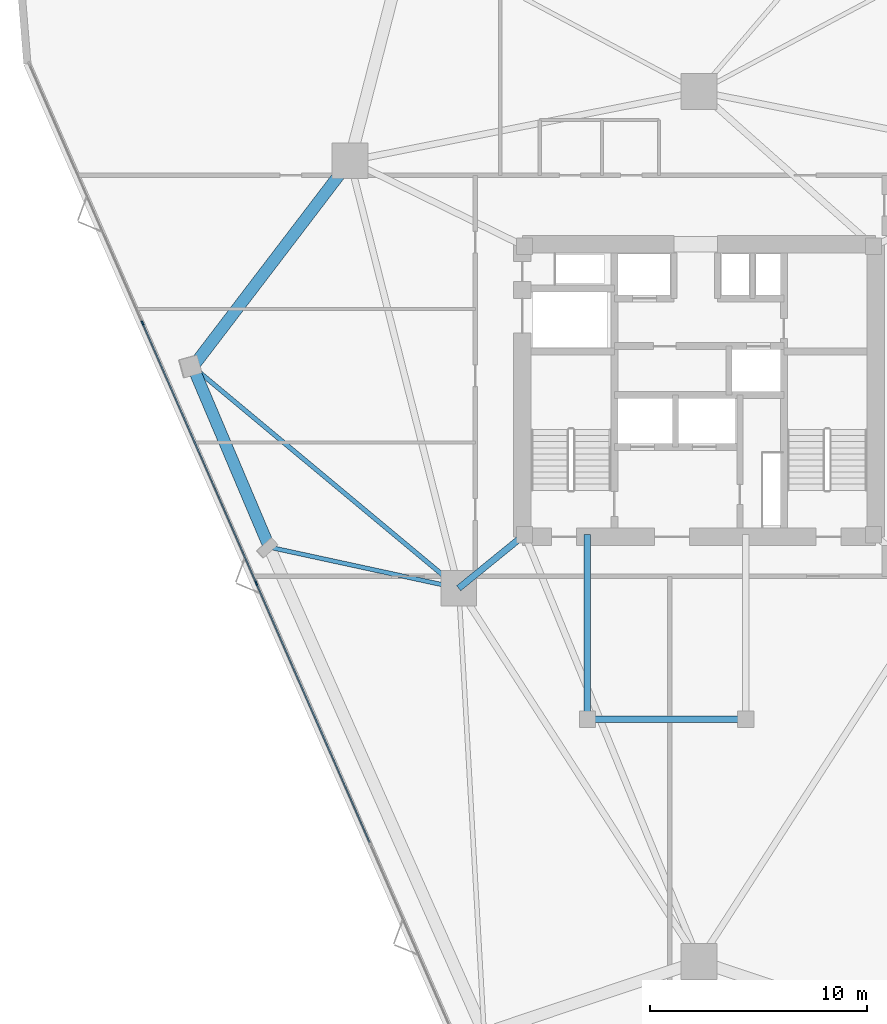
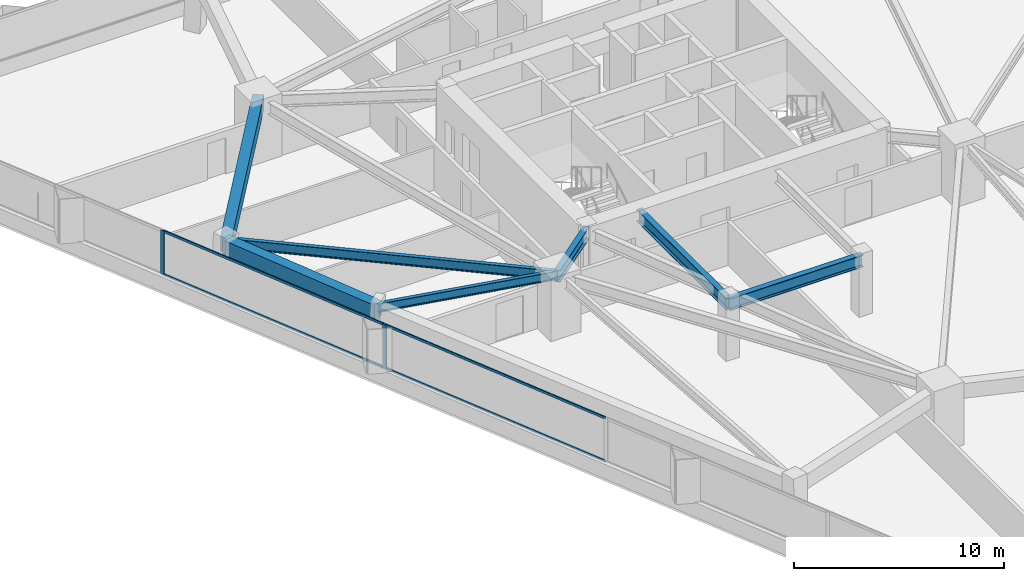
# One storey, part 4 of 14: 7 beams, 6 members, 1 element without a shape of its own.
"""IFC4 building model written with IfcOpenShell, lengths in metres."""

from ifc_helpers import new_model, si_unit, direction, frame, origin, origin_2d, place, context, subcontext, project, spatial, rectangle, i_section, extrude, material, layer, layer_set, material_profile, profile_set, type_object, element, aggregate, save


model = new_model("IFC4")

# Units and contexts
model_context = context("Model", 3, precision=1e-05, world=origin(), true_north=direction((0.0, 1.0)))
body_context = subcontext(model_context, "Body", "Model", "MODEL_VIEW")
ifc_project = project(units=[si_unit("LENGTHUNIT", "METRE"), si_unit("AREAUNIT", "SQUARE_METRE"), si_unit("VOLUMEUNIT", "CUBIC_METRE"), si_unit("PLANEANGLEUNIT", "RADIAN"), si_unit("MASSUNIT", "GRAM", prefix="KILO")], contexts=[model_context])

# Site, building, storey
site_placement = place(None, origin())
site = spatial("IfcSite", under=ifc_project, at=site_placement, CompositionType="ELEMENT")
building_placement = place(site_placement, origin())
building = spatial("IfcBuilding", under=site, at=building_placement, Name="Talyreon Biosciences Tower", CompositionType="ELEMENT")
storey_placement = place(building_placement, frame((0.0, 0.0, 96.89990234375)))
storey = spatial("IfcBuildingStorey", under=building, at=storey_placement, Name="L25", CompositionType="ELEMENT", Elevation=96.89990234375)

# Curtain wall, members
ifc_material_1 = material(Name="Thermally broken aluminium and low-E glazing", Category="aluminium")
ifc_layer = layer(ifc_material_1, 0.205078125)
ifc_layer_set = layer_set([ifc_layer], Name="Thermally broken aluminium and low-E glazing")
curtain_wall_type = type_object("IfcCurtainWallType", Name="CurtainWall_SkyGardenLoggia", PredefinedType="NOTDEFINED", material=ifc_layer_set)
curtain_wall_placement = place(storey_placement, origin())
curtain_wall = element("IfcCurtainWall", 1, at=curtain_wall_placement, inside=storey, type_object=curtain_wall_type, Name="L25 Unitised Curtain Wall FCW-L25-15", PredefinedType="NOTDEFINED")
ifc_material_2 = material(Name="Anodised thermally broken aluminium", Category="aluminium")
ifc_material_profile_1 = material_profile(ifc_material_2, rectangle(XDim=0.074951171875, YDim=0.2099609375, at=origin_2d()), Name="ALUM MULLION 75x210")
ifc_profile_set_1 = profile_set([ifc_material_profile_1], Name="Anodised thermally broken aluminium")
member_type_1 = type_object("IfcMemberType", Name="CWMullion_75x210", PredefinedType="MULLION", material=ifc_profile_set_1)
member_1_placement = place(storey_placement, frame((45.5771484375, 59.11083984375, 0.81005859375), z_axis=(0.0, 0.0, 1.0), x_axis=(-0.916278218967, -0.400542414041, 0.0)))
member_1 = element("IfcMember", 2, at=member_1_placement, type_object=member_type_1, Name="CW7 mullion 4", PredefinedType="MULLION", context=body_context, shape_type="SweptSolid", body=[
    extrude(rectangle(XDim=0.074951171875, YDim=0.2099609375, at=origin_2d()), origin(), (0.0, 0.0, 1.0), 2.56494140625),
])
member_2_placement = place(storey_placement, frame((40.333251953125, 71.106689453125, 0.81005859375), z_axis=(0.0, 0.0, 1.0), x_axis=(-0.916278218967, -0.400542414041, 0.0)))
member_2 = element("IfcMember", 3, at=member_2_placement, type_object=member_type_1, Name="CW7 mullion 5", PredefinedType="MULLION", context=body_context, shape_type="SweptSolid", body=[
    extrude(rectangle(XDim=0.074951171875, YDim=0.2099609375, at=origin_2d()), origin(), (0.0, 0.0, 1.0), 2.56494140625),
])
ifc_material_profile_2 = material_profile(ifc_material_2, rectangle(XDim=0.06494140625, YDim=0.139892578125, at=origin_2d()), Name="ALUM TRANSOM 65x140")
ifc_profile_set_2 = profile_set([ifc_material_profile_2], Name="Anodised thermally broken aluminium")
member_type_2 = type_object("IfcMemberType", Name="CWTransom_65x140", PredefinedType="USERDEFINED", material=ifc_profile_set_2)
member_3_placement = place(storey_placement, frame((50.805908203125, 47.1494140625, 0.842529296875), z_axis=(-0.400541357987, 0.916278680611, 0.0), x_axis=(-0.916278680611, -0.400541357987, 0.0)))
member_3 = element("IfcMember", 4, at=member_3_placement, type_object=member_type_2, Name="CW7 transom 3.1", ObjectType="TRANSOM", PredefinedType="USERDEFINED", context=body_context, shape_type="SweptSolid", body=[
    extrude(rectangle(XDim=0.06494140625, YDim=0.139892578125, at=origin_2d()), origin(), (0.0, 0.0, 1.0), 13.01708984375),
])
member_4_placement = place(storey_placement, frame((50.805908203125, 47.1494140625, 3.342529296875), z_axis=(-0.400541357987, 0.916278680611, 0.0), x_axis=(-0.916278680611, -0.400541357987, 0.0)))
member_4 = element("IfcMember", 5, at=member_4_placement, type_object=member_type_2, Name="CW7 transom 3.2", ObjectType="TRANSOM", PredefinedType="USERDEFINED", context=body_context, shape_type="SweptSolid", body=[
    extrude(rectangle(XDim=0.06494140625, YDim=0.139892578125, at=origin_2d()), origin(), (0.0, 0.0, 1.0), 13.01708984375),
])
member_5_placement = place(storey_placement, frame((45.56201171875, 59.145263671875, 0.842529296875), z_axis=(-0.400525611362, 0.916285563917, 0.0), x_axis=(-0.916285563917, -0.400525611362, 0.0)))
member_5 = element("IfcMember", 6, at=member_5_placement, type_object=member_type_2, Name="CW7 transom 4.1", ObjectType="TRANSOM", PredefinedType="USERDEFINED", context=body_context, shape_type="SweptSolid", body=[
    extrude(rectangle(XDim=0.06494140625, YDim=0.139892578125, at=origin_2d()), origin(), (0.0, 0.0, 1.0), 13.016845703125),
])
member_6_placement = place(storey_placement, frame((45.56201171875, 59.145263671875, 3.342529296875), z_axis=(-0.400525611362, 0.916285563917, 0.0), x_axis=(-0.916285563917, -0.400525611362, 0.0)))
member_6 = element("IfcMember", 7, at=member_6_placement, type_object=member_type_2, Name="CW7 transom 4.2", ObjectType="TRANSOM", PredefinedType="USERDEFINED", context=body_context, shape_type="SweptSolid", body=[
    extrude(rectangle(XDim=0.06494140625, YDim=0.139892578125, at=origin_2d()), origin(), (0.0, 0.0, 1.0), 13.016845703125),
])
aggregate(curtain_wall, [member_1, member_2, member_3, member_4, member_5, member_6])

# Beams
ifc_material_3 = material(Name="Precast concrete C45/55", Category="concrete")
ifc_material_profile_3 = material_profile(ifc_material_3, rectangle(XDim=0.550048828125, YDim=0.85009765625, at=origin_2d()), Name="RCB 550x850")
ifc_profile_set_3 = profile_set([ifc_material_profile_3], Name="Precast concrete C45/55")
beam_type_1 = type_object("IfcBeamType", Name="ExpressedSpandrel_550x850", PredefinedType="SPANDREL", material=ifc_profile_set_3)
beam_1_placement = place(storey_placement, frame((49.897705078125, 78.5986328125, 2.9501953125), z_axis=(-0.606464058812, -0.795110901302, 0.0), x_axis=(0.795110901302, -0.606464058812, 0.0)))
element("IfcBeam", 8, at=beam_1_placement, inside=storey, type_object=beam_type_1, Name="L25 Expressed Horizontal Concrete Spandrel 09", PredefinedType="SPANDREL", context=body_context, shape_type="SweptSolid", body=[
    extrude(rectangle(XDim=0.550048828125, YDim=0.85009765625, at=origin_2d()), origin(), (0.0, 0.0, 1.0), 11.952880859375),
])
beam_2_placement = place(storey_placement, frame((42.648681640625, 69.0947265625, 2.9501953125), z_axis=(0.390283368914, -0.920694787619, 0.0), x_axis=(0.920694787619, 0.390283368914, 0.0)))
element("IfcBeam", 9, at=beam_2_placement, inside=storey, type_object=beam_type_1, Name="L25 Expressed Horizontal Concrete Spandrel 10", PredefinedType="SPANDREL", context=body_context, shape_type="SweptSolid", body=[
    extrude(rectangle(XDim=0.550048828125, YDim=0.85009765625, at=origin_2d()), origin(), (0.0, 0.0, 1.0), 9.035400390625),
])
ifc_material_4 = material(Name="Steel SM355", Category="steel")
ifc_material_profile_4 = material_profile(ifc_material_4, i_section(OverallWidth=0.300048828125, OverallDepth=0.699951171875, WebThickness=0.01708984375, FlangeThickness=0.031982421875, FilletRadius=0.027099609375, at=origin_2d()), Name="HE700B")
ifc_profile_set_4 = profile_set([ifc_material_profile_4], Name="Steel SM355")
beam_type_2 = type_object("IfcBeamType", Name="SteelGirder_HE700B", PredefinedType="BEAM", material=ifc_profile_set_4)
beam_3_placement = place(storey_placement, frame((57.949951171875, 61.35009765625, 3.025146484375), z_axis=(-0.775755154013, -0.631034025249, 0.0), x_axis=(0.631034025249, -0.775755154013, 0.0)))
element("IfcBeam", 10, at=beam_3_placement, inside=storey, type_object=beam_type_2, Name="L25 Radial Primary Girder 6", PredefinedType="BEAM", context=body_context, shape_type="SweptSolid", body=[
    extrude(i_section(OverallWidth=0.300048828125, OverallDepth=0.699951171875, WebThickness=0.01708984375, FlangeThickness=0.031982421875, FilletRadius=0.027099609375, at=origin_2d()), origin(), (0.0, 0.0, 1.0), 3.913818359375),
])
beam_4_placement = place(storey_placement, frame((60.85009765625, 52.840087890625, 3.025146484375), z_axis=(1.0, 0.0, 0.0), x_axis=(0.0, 1.0, 0.0)))
element("IfcBeam", 11, at=beam_4_placement, inside=storey, type_object=beam_type_2, Name="L25 Crown Shaft Spine Girder S", PredefinedType="BEAM", context=body_context, shape_type="SweptSolid", body=[
    extrude(i_section(OverallWidth=0.300048828125, OverallDepth=0.699951171875, WebThickness=0.01708984375, FlangeThickness=0.031982421875, FilletRadius=0.027099609375, at=origin_2d()), origin(), (0.0, 0.0, 1.0), 7.2998046875),
])
beam_5_placement = place(storey_placement, frame((60.85009765625, 52.840087890625, 3.025146484375), z_axis=(0.0, 1.0, 0.0), x_axis=(-1.0, 0.0, 0.0)))
element("IfcBeam", 12, at=beam_5_placement, inside=storey, type_object=beam_type_2, Name="L25 Crown Shaft Tie Girder W", PredefinedType="BEAM", context=body_context, shape_type="SweptSolid", body=[
    extrude(i_section(OverallWidth=0.300048828125, OverallDepth=0.699951171875, WebThickness=0.01708984375, FlangeThickness=0.031982421875, FilletRadius=0.027099609375, at=origin_2d()), origin(), (0.0, 0.0, 1.0), 8.510009765625),
])
ifc_material_profile_5 = material_profile(ifc_material_4, i_section(OverallWidth=0.199951171875, OverallDepth=0.5, WebThickness=0.01025390625, FlangeThickness=0.01611328125, FilletRadius=0.02099609375, at=origin_2d()), Name="IPE500")
ifc_profile_set_5 = profile_set([ifc_material_profile_5], Name="Steel SM355")
beam_type_3 = type_object("IfcBeamType", Name="SteelJoist_IPE500", PredefinedType="JOIST", material=ifc_profile_set_5)
beam_6_placement = place(storey_placement, frame((54.913818359375, 58.88037109375, 3.125), z_axis=(-0.977274332809, 0.211978485778, 0.0), x_axis=(-0.211978485778, -0.977274332809, 0.0)))
element("IfcBeam", 13, at=beam_6_placement, inside=storey, type_object=beam_type_3, Name="L25 Radial Composite Floor Joist PL-SW", PredefinedType="JOIST", context=body_context, shape_type="SweptSolid", body=[
    extrude(i_section(OverallWidth=0.199951171875, OverallDepth=0.5, WebThickness=0.01025390625, FlangeThickness=0.01611328125, FilletRadius=0.02099609375, at=origin_2d()), origin(), (0.0, 0.0, 1.0), 8.94189453125),
])
ifc_material_profile_6 = material_profile(ifc_material_4, i_section(OverallWidth=0.2099609375, OverallDepth=0.550048828125, WebThickness=0.010986328125, FlangeThickness=0.01708984375, FilletRadius=0.02392578125, at=origin_2d()), Name="IPE550")
ifc_profile_set_6 = profile_set([ifc_material_profile_6], Name="Steel SM355")
beam_type_4 = type_object("IfcBeamType", Name="SteelJoist_IPE550", PredefinedType="JOIST", material=ifc_profile_set_6)
beam_7_placement = place(storey_placement, frame((54.913818359375, 58.88037109375, 3.10009765625), z_axis=(-0.768424347499, 0.639940639569, 0.0), x_axis=(-0.639940639569, -0.768424347499, 0.0)))
element("IfcBeam", 14, at=beam_7_placement, inside=storey, type_object=beam_type_4, Name="L25 Radial Composite Floor Joist PC-SW1", PredefinedType="JOIST", context=body_context, shape_type="SweptSolid", body=[
    extrude(i_section(OverallWidth=0.2099609375, OverallDepth=0.550048828125, WebThickness=0.010986328125, FlangeThickness=0.01708984375, FilletRadius=0.02392578125, at=origin_2d()), origin(), (0.0, 0.0, 1.0), 15.96142578125),
])

save(model, "model.ifc")
